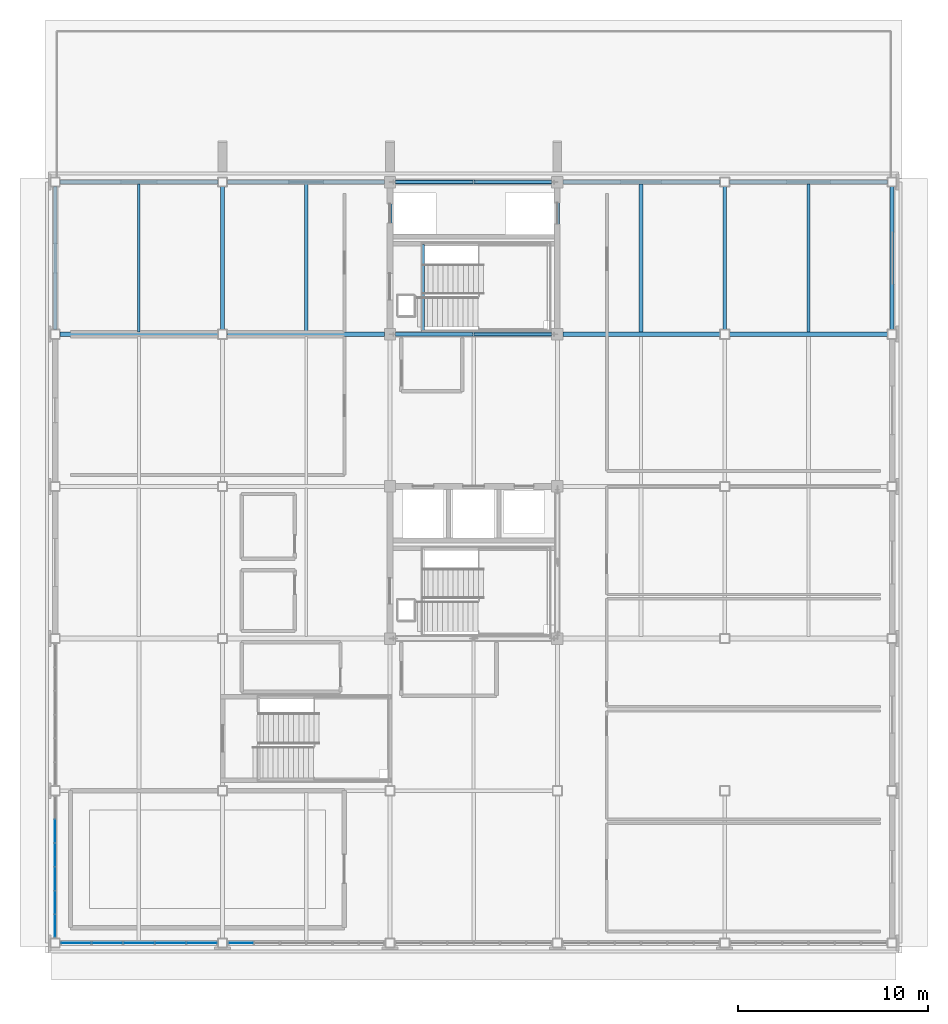
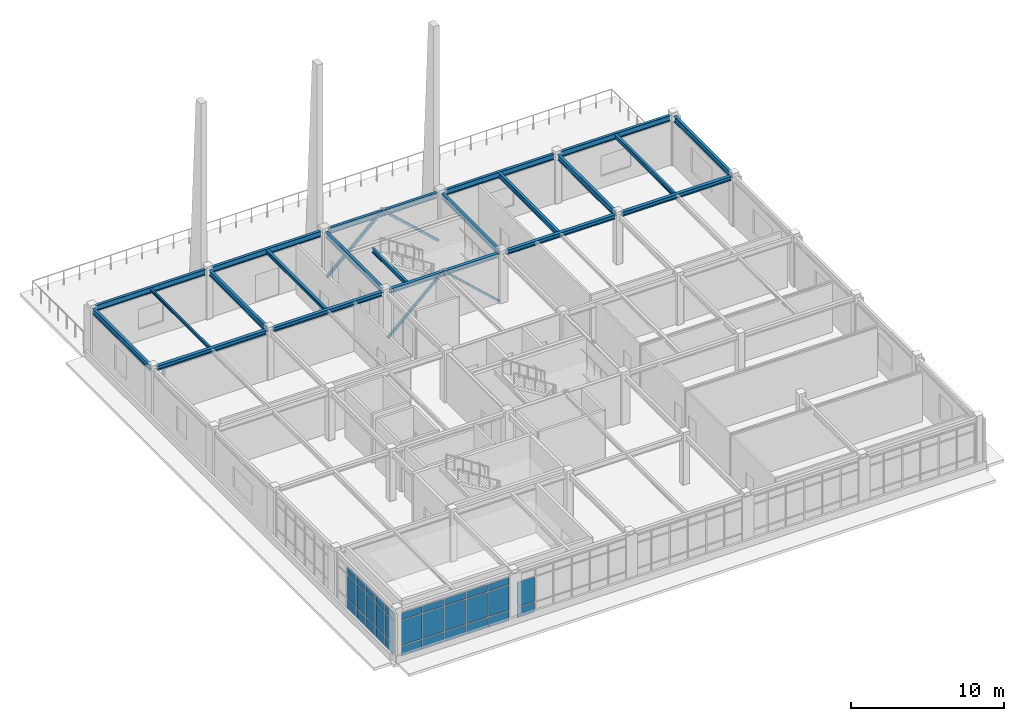
# One storey, part 8 of 22: 32 plates, 21 beams, 4 members, 3 elements without a shape of their own.
"""IFC4 building model written with IfcOpenShell, lengths in metres."""

from ifc_helpers import new_model, si_unit, direction, frame, origin, origin_2d, place, context, subcontext, project, spatial, rectangle, hollow_rectangle, i_section, extrude, material, layer, layer_set, material_profile, profile_set, type_object, element, aggregate, save


model = new_model("IFC4")

# Units and contexts
model_context = context("Model", 3, precision=1e-05, world=origin(), true_north=direction((0.0, 1.0)))
body_context = subcontext(model_context, "Body", "Model", "MODEL_VIEW")
ifc_project = project(units=[si_unit("LENGTHUNIT", "METRE"), si_unit("AREAUNIT", "SQUARE_METRE"), si_unit("VOLUMEUNIT", "CUBIC_METRE"), si_unit("PLANEANGLEUNIT", "RADIAN"), si_unit("MASSUNIT", "GRAM", prefix="KILO")], contexts=[model_context])

# Site, building, storey
site_placement = place(None, origin())
site = spatial("IfcSite", under=ifc_project, at=site_placement, CompositionType="ELEMENT")
building_placement = place(site_placement, origin())
building = spatial("IfcBuilding", under=site, at=building_placement, Name="Zhaolan Boulevard Law Courts", CompositionType="ELEMENT")
storey_placement = place(building_placement, frame((0.0, 0.0, 28.800048828125)))
storey = spatial("IfcBuildingStorey", under=building, at=storey_placement, Name="L06", CompositionType="ELEMENT", Elevation=28.800048828125)

# Members
ifc_material_1 = material(Name="Structural steel Q355B", Category="steel")
ifc_material_profile_1 = material_profile(ifc_material_1, hollow_rectangle(XDim=0.159912109375, YDim=0.159912109375, WallThickness=0.008056640625, InnerFilletRadius=0.008056640625, OuterFilletRadius=0.01611328125, at=origin_2d()), Name="HSS160x160x8")
ifc_profile_set_1 = profile_set([ifc_material_profile_1], Name="Structural steel Q355B")
member_type_1 = type_object("IfcMemberType", Name="BRACE HSS160", PredefinedType="BRACE", material=ifc_profile_set_1)
member_1_placement = place(storey_placement, frame((26.219970703125, 62.0, 0.030029296875), z_axis=(-0.735277847563, 0.0, 0.677765805336), x_axis=(0.0, -1.0, 0.0)))
element("IfcMember", 1, at=member_1_placement, inside=storey, type_object=member_type_1, Name="Core Brace BR-W2-L06-S2", PredefinedType="BRACE", context=body_context, shape_type="SweptSolid", body=[
    extrude(hollow_rectangle(XDim=0.159912109375, YDim=0.159912109375, WallThickness=0.008056640625, InnerFilletRadius=0.008056640625, OuterFilletRadius=0.01611328125, at=origin_2d()), origin(), (0.0, 0.0, 1.0), 5.7392578125),
])
ifc_material_2 = material(Name="Structural steel Q355B", Category="steel")
ifc_material_profile_2 = material_profile(ifc_material_2, hollow_rectangle(XDim=0.179931640625, YDim=0.179931640625, WallThickness=0.008056640625, InnerFilletRadius=0.008056640625, OuterFilletRadius=0.01611328125, at=origin_2d()), Name="HSS180x180x8")
ifc_profile_set_2 = profile_set([ifc_material_profile_2], Name="Structural steel Q355B")
member_type_2 = type_object("IfcMemberType", Name="BRACE HSS180", PredefinedType="BRACE", material=ifc_profile_set_2)
for number, where, z_axis, x_axis, name in (
    (2, (26.219970703125, 70.0, 0.030029296875), (-0.735277847563, 0.0, 0.677765805336), (0.0, -1.0, 0.0), "Core Brace BR-W2-L06-N2"),
    (3, (17.780029296875, 62.0, 0.030029296875), (0.735277847563, 0.0, 0.677765805336), (0.0, 1.0, 0.0), "Core Brace BR-W2-L06-S1"),
):
    element("IfcMember", number, at=place(storey_placement, frame(where, z_axis=z_axis, x_axis=x_axis)), inside=storey, type_object=member_type_2, Name=name, PredefinedType="BRACE", context=body_context, shape_type="SweptSolid", body=[
        extrude(hollow_rectangle(XDim=0.179931640625, YDim=0.179931640625, WallThickness=0.008056640625, InnerFilletRadius=0.008056640625, OuterFilletRadius=0.01611328125, at=origin_2d()), origin(), (0.0, 0.0, 1.0), 5.7392578125),
    ])
ifc_material_3 = material(Name="Structural steel Q355B", Category="steel")
ifc_material_profile_3 = material_profile(ifc_material_3, hollow_rectangle(XDim=0.199951171875, YDim=0.199951171875, WallThickness=0.010009765625, InnerFilletRadius=0.010009765625, OuterFilletRadius=0.02001953125, at=origin_2d()), Name="HSS200x200x10")
ifc_profile_set_3 = profile_set([ifc_material_profile_3], Name="Structural steel Q355B")
member_type_3 = type_object("IfcMemberType", Name="BRACE HSS200", PredefinedType="BRACE", material=ifc_profile_set_3)
member_2_placement = place(storey_placement, frame((17.780029296875, 70.0, 0.030029296875), z_axis=(0.735277847563, 0.0, 0.677765805336), x_axis=(0.0, 1.0, 0.0)))
element("IfcMember", 4, at=member_2_placement, inside=storey, type_object=member_type_3, Name="Core Brace BR-W2-L06-N1", PredefinedType="BRACE", context=body_context, shape_type="SweptSolid", body=[
    extrude(hollow_rectangle(XDim=0.199951171875, YDim=0.199951171875, WallThickness=0.010009765625, InnerFilletRadius=0.010009765625, OuterFilletRadius=0.02001953125, at=origin_2d()), origin(), (0.0, 0.0, 1.0), 5.7392578125),
])

# Beams
ifc_material_4 = material(Name="Structural steel Q355B", Category="steel")
ifc_material_profile_4 = material_profile(ifc_material_4, i_section(OverallWidth=0.199951171875, OverallDepth=0.449951171875, WebThickness=0.009033203125, FlangeThickness=0.013916015625, FilletRadius=0.01611328125, at=origin_2d()), Name="HN450x200")
ifc_profile_set_4 = profile_set([ifc_material_profile_4], Name="Structural steel Q355B")
beam_type_1 = type_object("IfcBeamType", Name="GIRDER HN450", PredefinedType="BEAM", material=ifc_profile_set_4)
beam_1_placement = place(storey_placement, frame((0.24609375, 70.0, 3.722900390625), z_axis=(1.0, 0.0, 0.0), x_axis=(0.0, 1.0, 0.0)))
element("IfcBeam", 5, at=beam_1_placement, inside=storey, type_object=beam_type_1, Name="Beam BX-L07-1-2-K", PredefinedType="BEAM", context=body_context, shape_type="SweptSolid", body=[
    extrude(i_section(OverallWidth=0.199951171875, OverallDepth=0.449951171875, WebThickness=0.009033203125, FlangeThickness=0.013916015625, FilletRadius=0.01611328125, at=origin_2d()), origin(), (0.0, 0.0, 1.0), 8.307861328125),
])
beam_2_placement = place(storey_placement, frame((9.0458984375, 70.0, 3.722900390625), z_axis=(1.0, 0.0, 0.0), x_axis=(0.0, 1.0, 0.0)))
element("IfcBeam", 6, at=beam_2_placement, inside=storey, type_object=beam_type_1, Name="Beam BX-L07-2-3-K", PredefinedType="BEAM", context=body_context, shape_type="SweptSolid", body=[
    extrude(i_section(OverallWidth=0.199951171875, OverallDepth=0.449951171875, WebThickness=0.009033203125, FlangeThickness=0.013916015625, FilletRadius=0.01611328125, at=origin_2d()), origin(), (0.0, 0.0, 1.0), 8.258056640625),
])
beam_3_placement = place(storey_placement, frame((17.89599609375, 70.0, 3.722900390625), z_axis=(1.0, 0.0, 0.0), x_axis=(0.0, 1.0, 0.0)))
element("IfcBeam", 7, at=beam_3_placement, inside=storey, type_object=beam_type_1, Name="Beam BX-L07-3-4-K", PredefinedType="BEAM", context=body_context, shape_type="SweptSolid", body=[
    extrude(i_section(OverallWidth=0.199951171875, OverallDepth=0.449951171875, WebThickness=0.009033203125, FlangeThickness=0.013916015625, FilletRadius=0.01611328125, at=origin_2d()), origin(), (0.0, 0.0, 1.0), 8.2080078125),
])
beam_4_placement = place(storey_placement, frame((26.696044921875, 70.0, 3.722900390625), z_axis=(1.0, 0.0, 0.0), x_axis=(0.0, 1.0, 0.0)))
element("IfcBeam", 8, at=beam_4_placement, inside=storey, type_object=beam_type_1, Name="Beam BX-L07-4-5-K", PredefinedType="BEAM", context=body_context, shape_type="SweptSolid", body=[
    extrude(i_section(OverallWidth=0.199951171875, OverallDepth=0.449951171875, WebThickness=0.009033203125, FlangeThickness=0.013916015625, FilletRadius=0.01611328125, at=origin_2d()), origin(), (0.0, 0.0, 1.0), 8.258056640625),
])
beam_5_placement = place(storey_placement, frame((35.446044921875, 70.0, 3.722900390625), z_axis=(1.0, 0.0, 0.0), x_axis=(0.0, 1.0, 0.0)))
element("IfcBeam", 9, at=beam_5_placement, inside=storey, type_object=beam_type_1, Name="Beam BX-L07-5-6-K", PredefinedType="BEAM", context=body_context, shape_type="SweptSolid", body=[
    extrude(i_section(OverallWidth=0.199951171875, OverallDepth=0.449951171875, WebThickness=0.009033203125, FlangeThickness=0.013916015625, FilletRadius=0.01611328125, at=origin_2d()), origin(), (0.0, 0.0, 1.0), 8.307861328125),
])
for number, where, z_axis, x_axis, name in (
    (10, (0.0, 62.24609375, 3.722900390625), (0.0, 1.0, 0.0), (-1.0, 0.0, 0.0), "Beam BY-L07-1-J-K"),
    (11, (8.800048828125, 62.24609375, 3.722900390625), (0.0, 1.0, 0.0), (-1.0, 0.0, 0.0), "Beam BY-L07-2-J-K"),
):
    element("IfcBeam", number, at=place(storey_placement, frame(where, z_axis=z_axis, x_axis=x_axis)), inside=storey, type_object=beam_type_1, Name=name, PredefinedType="BEAM", context=body_context, shape_type="SweptSolid", body=[
        extrude(i_section(OverallWidth=0.199951171875, OverallDepth=0.449951171875, WebThickness=0.009033203125, FlangeThickness=0.013916015625, FilletRadius=0.01611328125, at=origin_2d()), origin(), (0.0, 0.0, 1.0), 7.5078125),
    ])
for number, where, z_axis, x_axis, name in (
    (12, (17.60009765625, 62.2958984375, 3.722900390625), (0.0, 1.0, 0.0), (-1.0, 0.0, 0.0), "Beam BY-L07-3-J-K"),
    (13, (26.39990234375, 62.2958984375, 3.722900390625), (0.0, 1.0, 0.0), (-1.0, 0.0, 0.0), "Beam BY-L07-4-J-K"),
):
    element("IfcBeam", number, at=place(storey_placement, frame(where, z_axis=z_axis, x_axis=x_axis)), inside=storey, type_object=beam_type_1, Name=name, PredefinedType="BEAM", context=body_context, shape_type="SweptSolid", body=[
        extrude(i_section(OverallWidth=0.199951171875, OverallDepth=0.449951171875, WebThickness=0.009033203125, FlangeThickness=0.013916015625, FilletRadius=0.01611328125, at=origin_2d()), origin(), (0.0, 0.0, 1.0), 7.408203125),
    ])
for number, where, z_axis, x_axis, name in (
    (14, (35.199951171875, 62.24609375, 3.722900390625), (0.0, 1.0, 0.0), (-1.0, 0.0, 0.0), "Beam BY-L07-5-J-K"),
    (15, (44.0, 62.24609375, 3.722900390625), (0.0, 1.0, 0.0), (-1.0, 0.0, 0.0), "Beam BY-L07-6-J-K"),
):
    element("IfcBeam", number, at=place(storey_placement, frame(where, z_axis=z_axis, x_axis=x_axis)), inside=storey, type_object=beam_type_1, Name=name, PredefinedType="BEAM", context=body_context, shape_type="SweptSolid", body=[
        extrude(i_section(OverallWidth=0.199951171875, OverallDepth=0.449951171875, WebThickness=0.009033203125, FlangeThickness=0.013916015625, FilletRadius=0.01611328125, at=origin_2d()), origin(), (0.0, 0.0, 1.0), 7.5078125),
    ])
ifc_material_5 = material(Name="Structural steel Q355B", Category="steel")
ifc_material_profile_5 = material_profile(ifc_material_5, i_section(OverallWidth=0.199951171875, OverallDepth=0.2939453125, WebThickness=0.008056640625, FlangeThickness=0.011962890625, FilletRadius=0.01611328125, at=origin_2d()), Name="HM294x200")
ifc_profile_set_5 = profile_set([ifc_material_profile_5], Name="Structural steel Q355B")
beam_type_2 = type_object("IfcBeamType", Name="JOIST HM294", PredefinedType="JOIST", material=ifc_profile_set_5)
beam_6_placement = place(storey_placement, frame((13.199951171875, 62.12109375, 3.801025390625), z_axis=(0.0, 1.0, 0.0), x_axis=(-1.0, 0.0, 0.0)))
element("IfcBeam", 16, at=beam_6_placement, inside=storey, type_object=beam_type_2, Name="Composite Joist J-L07-2J", PredefinedType="JOIST", context=body_context, shape_type="SweptSolid", body=[
    extrude(i_section(OverallWidth=0.199951171875, OverallDepth=0.2939453125, WebThickness=0.008056640625, FlangeThickness=0.011962890625, FilletRadius=0.01611328125, at=origin_2d()), origin(), (0.0, 0.0, 1.0), 7.782958984375),
])
ifc_material_6 = material(Name="Structural steel Q355B", Category="steel")
ifc_material_profile_6 = material_profile(ifc_material_6, i_section(OverallWidth=0.125, OverallDepth=0.25, WebThickness=0.006103515625, FlangeThickness=0.009033203125, FilletRadius=0.010009765625, at=origin_2d()), Name="HN250x125")
ifc_profile_set_6 = profile_set([ifc_material_profile_6], Name="Structural steel Q355B")
beam_type_3 = type_object("IfcBeamType", Name="JOIST HN250", PredefinedType="JOIST", material=ifc_profile_set_6)
beam_7_placement = place(storey_placement, frame((4.39990234375, 62.12109375, 3.822998046875), z_axis=(0.0, 1.0, 0.0), x_axis=(-1.0, 0.0, 0.0)))
element("IfcBeam", 17, at=beam_7_placement, inside=storey, type_object=beam_type_3, Name="Composite Joist J-L07-1J", PredefinedType="JOIST", context=body_context, shape_type="SweptSolid", body=[
    extrude(i_section(OverallWidth=0.125, OverallDepth=0.25, WebThickness=0.006103515625, FlangeThickness=0.009033203125, FilletRadius=0.010009765625, at=origin_2d()), origin(), (0.0, 0.0, 1.0), 7.782958984375),
])
ifc_material_7 = material(Name="Structural steel Q355B", Category="steel")
ifc_material_profile_7 = material_profile(ifc_material_7, i_section(OverallWidth=0.175048828125, OverallDepth=0.35009765625, WebThickness=0.007080078125, FlangeThickness=0.010986328125, FilletRadius=0.012939453125, at=origin_2d()), Name="HN350x175")
ifc_profile_set_7 = profile_set([ifc_material_profile_7], Name="Structural steel Q355B")
beam_type_4 = type_object("IfcBeamType", Name="JOIST HN350", PredefinedType="JOIST", material=ifc_profile_set_7)
beam_8_placement = place(storey_placement, frame((39.60009765625, 62.12109375, 3.77294921875), z_axis=(0.0, 1.0, 0.0), x_axis=(-1.0, 0.0, 0.0)))
element("IfcBeam", 18, at=beam_8_placement, inside=storey, type_object=beam_type_4, Name="Composite Joist J-L07-5J", PredefinedType="JOIST", context=body_context, shape_type="SweptSolid", body=[
    extrude(i_section(OverallWidth=0.175048828125, OverallDepth=0.35009765625, WebThickness=0.007080078125, FlangeThickness=0.010986328125, FilletRadius=0.012939453125, at=origin_2d()), origin(), (0.0, 0.0, 1.0), 7.782958984375),
])
ifc_material_8 = material(Name="Structural steel Q355B", Category="steel")
ifc_material_profile_8 = material_profile(ifc_material_8, i_section(OverallWidth=0.199951171875, OverallDepth=0.39990234375, WebThickness=0.008056640625, FlangeThickness=0.012939453125, FilletRadius=0.013916015625, at=origin_2d()), Name="HN400x200")
ifc_profile_set_8 = profile_set([ifc_material_profile_8], Name="Structural steel Q355B")
beam_type_5 = type_object("IfcBeamType", Name="JOIST HN400", PredefinedType="JOIST", material=ifc_profile_set_8)
beam_9_placement = place(storey_placement, frame((30.800048828125, 62.12109375, 3.748046875), z_axis=(0.0, 1.0, 0.0), x_axis=(-1.0, 0.0, 0.0)))
element("IfcBeam", 19, at=beam_9_placement, inside=storey, type_object=beam_type_5, Name="Composite Joist J-L07-4J", PredefinedType="JOIST", context=body_context, shape_type="SweptSolid", body=[
    extrude(i_section(OverallWidth=0.199951171875, OverallDepth=0.39990234375, WebThickness=0.008056640625, FlangeThickness=0.012939453125, FilletRadius=0.013916015625, at=origin_2d()), origin(), (0.0, 0.0, 1.0), 7.782958984375),
])
ifc_material_9 = material(Name="Structural steel Q355B", Category="steel")
ifc_material_profile_9 = material_profile(ifc_material_9, i_section(OverallWidth=0.25, OverallDepth=0.340087890625, WebThickness=0.009033203125, FlangeThickness=0.013916015625, FilletRadius=0.01611328125, at=origin_2d()), Name="HM340x250")
ifc_profile_set_9 = profile_set([ifc_material_profile_9], Name="Structural steel Q355B")
beam_type_6 = type_object("IfcBeamType", Name="SPANDREL HM340", PredefinedType="SPANDREL", material=ifc_profile_set_9)
beam_10_placement = place(storey_placement, frame((0.24609375, 62.0, 3.77783203125), z_axis=(1.0, 0.0, 0.0), x_axis=(0.0, 1.0, 0.0)))
element("IfcBeam", 20, at=beam_10_placement, inside=storey, type_object=beam_type_6, Name="Beam BX-L07-1-2-J", PredefinedType="SPANDREL", context=body_context, shape_type="SweptSolid", body=[
    extrude(i_section(OverallWidth=0.25, OverallDepth=0.340087890625, WebThickness=0.009033203125, FlangeThickness=0.013916015625, FilletRadius=0.01611328125, at=origin_2d()), origin(), (0.0, 0.0, 1.0), 8.307861328125),
])
beam_11_placement = place(storey_placement, frame((9.0458984375, 62.0, 3.77783203125), z_axis=(1.0, 0.0, 0.0), x_axis=(0.0, 1.0, 0.0)))
element("IfcBeam", 21, at=beam_11_placement, inside=storey, type_object=beam_type_6, Name="Beam BX-L07-2-3-J", PredefinedType="SPANDREL", context=body_context, shape_type="SweptSolid", body=[
    extrude(i_section(OverallWidth=0.25, OverallDepth=0.340087890625, WebThickness=0.009033203125, FlangeThickness=0.013916015625, FilletRadius=0.01611328125, at=origin_2d()), origin(), (0.0, 0.0, 1.0), 8.258056640625),
])
beam_12_placement = place(storey_placement, frame((17.89599609375, 62.0, 3.77783203125), z_axis=(1.0, 0.0, 0.0), x_axis=(0.0, 1.0, 0.0)))
element("IfcBeam", 22, at=beam_12_placement, inside=storey, type_object=beam_type_6, Name="Beam BX-L07-3-4-J", PredefinedType="SPANDREL", context=body_context, shape_type="SweptSolid", body=[
    extrude(i_section(OverallWidth=0.25, OverallDepth=0.340087890625, WebThickness=0.009033203125, FlangeThickness=0.013916015625, FilletRadius=0.01611328125, at=origin_2d()), origin(), (0.0, 0.0, 1.0), 8.2080078125),
])
beam_13_placement = place(storey_placement, frame((26.696044921875, 62.0, 3.77783203125), z_axis=(1.0, 0.0, 0.0), x_axis=(0.0, 1.0, 0.0)))
element("IfcBeam", 23, at=beam_13_placement, inside=storey, type_object=beam_type_6, Name="Beam BX-L07-4-5-J", PredefinedType="SPANDREL", context=body_context, shape_type="SweptSolid", body=[
    extrude(i_section(OverallWidth=0.25, OverallDepth=0.340087890625, WebThickness=0.009033203125, FlangeThickness=0.013916015625, FilletRadius=0.01611328125, at=origin_2d()), origin(), (0.0, 0.0, 1.0), 8.258056640625),
])
beam_14_placement = place(storey_placement, frame((35.446044921875, 62.0, 3.77783203125), z_axis=(1.0, 0.0, 0.0), x_axis=(0.0, 1.0, 0.0)))
element("IfcBeam", 24, at=beam_14_placement, inside=storey, type_object=beam_type_6, Name="Beam BX-L07-5-6-J", PredefinedType="SPANDREL", context=body_context, shape_type="SweptSolid", body=[
    extrude(i_section(OverallWidth=0.25, OverallDepth=0.340087890625, WebThickness=0.009033203125, FlangeThickness=0.013916015625, FilletRadius=0.01611328125, at=origin_2d()), origin(), (0.0, 0.0, 1.0), 8.307861328125),
])
ifc_material_10 = material(Name="Structural steel Q355B", Category="steel")
ifc_material_profile_10 = material_profile(ifc_material_10, i_section(OverallWidth=0.175048828125, OverallDepth=0.35009765625, WebThickness=0.007080078125, FlangeThickness=0.010986328125, FilletRadius=0.012939453125, at=origin_2d()), Name="HN350x175")
ifc_profile_set_10 = profile_set([ifc_material_profile_10], Name="Structural steel Q355B")
beam_type_7 = type_object("IfcBeamType", Name="STAIR TRIMMER HN350", PredefinedType="BEAM", material=ifc_profile_set_10)
beam_15_placement = place(storey_placement, frame((19.3349609375, 62.139892578125, 3.73486328125), z_axis=(0.0, 1.0, 0.0), x_axis=(-1.0, 0.0, 0.0)))
element("IfcBeam", 25, at=beam_15_placement, inside=storey, type_object=beam_type_7, Name="Stair Landing Trimmer Beam STB-ST02-L07", PredefinedType="BEAM", context=body_context, shape_type="SweptSolid", body=[
    extrude(i_section(OverallWidth=0.175048828125, OverallDepth=0.35009765625, WebThickness=0.007080078125, FlangeThickness=0.010986328125, FilletRadius=0.012939453125, at=origin_2d()), origin(), (0.0, 0.0, 1.0), 4.570068359375),
])

# Curtain wall, plates
ifc_material_11 = material(Name="Thermally broken aluminium and low-E glazing", Category="aluminium")
curtain_wall_type_1 = type_object("IfcCurtainWallType", Name="CURTAIN WALL M8", PredefinedType="USERDEFINED", material=ifc_material_11)
curtain_wall_1_placement = place(storey_placement, origin())
curtain_wall_1 = element("IfcCurtainWall", 26, at=curtain_wall_1_placement, inside=storey, type_object=curtain_wall_type_1, Name="Curtain Wall CW-L06-224", ObjectType="CURTAIN WALL", PredefinedType="USERDEFINED")
ifc_material_12 = material(Name="Triple-silver low-E insulated glazing", Category="glass")
ifc_layer = layer(ifc_material_12, 0.028076171875)
ifc_layer_set = layer_set([ifc_layer])
plate_type = type_object("IfcPlateType", Name="CWPANEL LOW E28", PredefinedType="CURTAIN_PANEL", material=ifc_layer_set)
plate_1_placement = place(storey_placement, frame((1.097900390625, 30.0, 0.06494140625), z_axis=(0.0, 0.0, 1.0), x_axis=(1.0, 0.0, 0.0)))
plate_1 = element("IfcPlate", 27, at=plate_1_placement, type_object=plate_type, Name="CW-L06-224 panel 1.1", PredefinedType="CURTAIN_PANEL", context=body_context, shape_type="SweptSolid", body=[
    extrude(rectangle(XDim=1.561767578125, YDim=0.028076171875, at=origin_2d()), origin(), (0.0, 0.0, 1.0), 0.802490234375),
])
plate_2_placement = place(storey_placement, frame((1.097900390625, 30.0, 0.932373046875), z_axis=(0.0, 0.0, 1.0), x_axis=(1.0, 0.0, 0.0)))
plate_2 = element("IfcPlate", 28, at=plate_2_placement, type_object=plate_type, Name="CW-L06-224 panel 1.2", PredefinedType="CURTAIN_PANEL", context=body_context, shape_type="SweptSolid", body=[
    extrude(rectangle(XDim=1.561767578125, YDim=0.028076171875, at=origin_2d()), origin(), (0.0, 0.0, 1.0), 1.97802734375),
])
plate_3_placement = place(storey_placement, frame((1.097900390625, 30.0, 2.9755859375), z_axis=(0.0, 0.0, 1.0), x_axis=(1.0, 0.0, 0.0)))
plate_3 = element("IfcPlate", 29, at=plate_3_placement, type_object=plate_type, Name="CW-L06-224 panel 1.3", PredefinedType="CURTAIN_PANEL", context=body_context, shape_type="SweptSolid", body=[
    extrude(rectangle(XDim=1.561767578125, YDim=0.028076171875, at=origin_2d()), origin(), (0.0, 0.0, 1.0), 0.552490234375),
])
plate_4_placement = place(storey_placement, frame((2.74072265625, 30.0, 0.06494140625), z_axis=(0.0, 0.0, 1.0), x_axis=(1.0, 0.0, 0.0)))
plate_4 = element("IfcPlate", 30, at=plate_4_placement, type_object=plate_type, Name="CW-L06-224 panel 2.1", PredefinedType="CURTAIN_PANEL", context=body_context, shape_type="SweptSolid", body=[
    extrude(rectangle(XDim=1.59423828125, YDim=0.028076171875, at=origin_2d()), origin(), (0.0, 0.0, 1.0), 0.802490234375),
])
plate_5_placement = place(storey_placement, frame((2.74072265625, 30.0, 0.932373046875), z_axis=(0.0, 0.0, 1.0), x_axis=(1.0, 0.0, 0.0)))
plate_5 = element("IfcPlate", 31, at=plate_5_placement, type_object=plate_type, Name="CW-L06-224 panel 2.2", PredefinedType="CURTAIN_PANEL", context=body_context, shape_type="SweptSolid", body=[
    extrude(rectangle(XDim=1.59423828125, YDim=0.028076171875, at=origin_2d()), origin(), (0.0, 0.0, 1.0), 1.97802734375),
])
plate_6_placement = place(storey_placement, frame((2.74072265625, 30.0, 2.9755859375), z_axis=(0.0, 0.0, 1.0), x_axis=(1.0, 0.0, 0.0)))
plate_6 = element("IfcPlate", 32, at=plate_6_placement, type_object=plate_type, Name="CW-L06-224 panel 2.3", PredefinedType="CURTAIN_PANEL", context=body_context, shape_type="SweptSolid", body=[
    extrude(rectangle(XDim=1.59423828125, YDim=0.028076171875, at=origin_2d()), origin(), (0.0, 0.0, 1.0), 0.552490234375),
])
plate_7_placement = place(storey_placement, frame((4.39990234375, 30.0, 0.06494140625), z_axis=(0.0, 0.0, 1.0), x_axis=(1.0, 0.0, 0.0)))
plate_7 = element("IfcPlate", 33, at=plate_7_placement, type_object=plate_type, Name="CW-L06-224 panel 3.1", PredefinedType="CURTAIN_PANEL", context=body_context, shape_type="SweptSolid", body=[
    extrude(rectangle(XDim=1.59423828125, YDim=0.028076171875, at=origin_2d()), origin(), (0.0, 0.0, 1.0), 0.802490234375),
])
plate_8_placement = place(storey_placement, frame((4.39990234375, 30.0, 0.932373046875), z_axis=(0.0, 0.0, 1.0), x_axis=(1.0, 0.0, 0.0)))
plate_8 = element("IfcPlate", 34, at=plate_8_placement, type_object=plate_type, Name="CW-L06-224 panel 3.2", PredefinedType="CURTAIN_PANEL", context=body_context, shape_type="SweptSolid", body=[
    extrude(rectangle(XDim=1.59423828125, YDim=0.028076171875, at=origin_2d()), origin(), (0.0, 0.0, 1.0), 1.97802734375),
])
plate_9_placement = place(storey_placement, frame((4.39990234375, 30.0, 2.9755859375), z_axis=(0.0, 0.0, 1.0), x_axis=(1.0, 0.0, 0.0)))
plate_9 = element("IfcPlate", 35, at=plate_9_placement, type_object=plate_type, Name="CW-L06-224 panel 3.3", PredefinedType="CURTAIN_PANEL", context=body_context, shape_type="SweptSolid", body=[
    extrude(rectangle(XDim=1.59423828125, YDim=0.028076171875, at=origin_2d()), origin(), (0.0, 0.0, 1.0), 0.552490234375),
])
plate_10_placement = place(storey_placement, frame((6.05908203125, 30.0, 0.06494140625), z_axis=(0.0, 0.0, 1.0), x_axis=(1.0, 0.0, 0.0)))
plate_10 = element("IfcPlate", 36, at=plate_10_placement, type_object=plate_type, Name="CW-L06-224 panel 4.1", PredefinedType="CURTAIN_PANEL", context=body_context, shape_type="SweptSolid", body=[
    extrude(rectangle(XDim=1.59423828125, YDim=0.028076171875, at=origin_2d()), origin(), (0.0, 0.0, 1.0), 0.802490234375),
])
plate_11_placement = place(storey_placement, frame((6.05908203125, 30.0, 0.932373046875), z_axis=(0.0, 0.0, 1.0), x_axis=(1.0, 0.0, 0.0)))
plate_11 = element("IfcPlate", 37, at=plate_11_placement, type_object=plate_type, Name="CW-L06-224 panel 4.2", PredefinedType="CURTAIN_PANEL", context=body_context, shape_type="SweptSolid", body=[
    extrude(rectangle(XDim=1.59423828125, YDim=0.028076171875, at=origin_2d()), origin(), (0.0, 0.0, 1.0), 1.97802734375),
])
plate_12_placement = place(storey_placement, frame((6.05908203125, 30.0, 2.9755859375), z_axis=(0.0, 0.0, 1.0), x_axis=(1.0, 0.0, 0.0)))
plate_12 = element("IfcPlate", 38, at=plate_12_placement, type_object=plate_type, Name="CW-L06-224 panel 4.3", PredefinedType="CURTAIN_PANEL", context=body_context, shape_type="SweptSolid", body=[
    extrude(rectangle(XDim=1.59423828125, YDim=0.028076171875, at=origin_2d()), origin(), (0.0, 0.0, 1.0), 0.552490234375),
])
plate_13_placement = place(storey_placement, frame((7.7021484375, 30.0, 0.06494140625), z_axis=(0.0, 0.0, 1.0), x_axis=(1.0, 0.0, 0.0)))
plate_13 = element("IfcPlate", 39, at=plate_13_placement, type_object=plate_type, Name="CW-L06-224 panel 5.1", PredefinedType="CURTAIN_PANEL", context=body_context, shape_type="SweptSolid", body=[
    extrude(rectangle(XDim=1.561767578125, YDim=0.028076171875, at=origin_2d()), origin(), (0.0, 0.0, 1.0), 0.802490234375),
])
plate_14_placement = place(storey_placement, frame((7.7021484375, 30.0, 0.932373046875), z_axis=(0.0, 0.0, 1.0), x_axis=(1.0, 0.0, 0.0)))
plate_14 = element("IfcPlate", 40, at=plate_14_placement, type_object=plate_type, Name="CW-L06-224 panel 5.2", PredefinedType="CURTAIN_PANEL", context=body_context, shape_type="SweptSolid", body=[
    extrude(rectangle(XDim=1.561767578125, YDim=0.028076171875, at=origin_2d()), origin(), (0.0, 0.0, 1.0), 1.97802734375),
])
plate_15_placement = place(storey_placement, frame((7.7021484375, 30.0, 2.9755859375), z_axis=(0.0, 0.0, 1.0), x_axis=(1.0, 0.0, 0.0)))
plate_15 = element("IfcPlate", 41, at=plate_15_placement, type_object=plate_type, Name="CW-L06-224 panel 5.3", PredefinedType="CURTAIN_PANEL", context=body_context, shape_type="SweptSolid", body=[
    extrude(rectangle(XDim=1.561767578125, YDim=0.028076171875, at=origin_2d()), origin(), (0.0, 0.0, 1.0), 0.552490234375),
])
aggregate(curtain_wall_1, [plate_1, plate_2, plate_3, plate_4, plate_5, plate_6, plate_7, plate_8, plate_9, plate_10, plate_11, plate_12, plate_13, plate_14, plate_15])

ifc_material_13 = material(Name="Thermally broken aluminium and low-E glazing", Category="aluminium")
curtain_wall_type_2 = type_object("IfcCurtainWallType", Name="CURTAIN WALL M9", PredefinedType="USERDEFINED", material=ifc_material_13)
curtain_wall_2_placement = place(storey_placement, origin())
curtain_wall_2 = element("IfcCurtainWall", 42, at=curtain_wall_2_placement, inside=storey, type_object=curtain_wall_type_2, Name="Curtain Wall CW-L06-225", ObjectType="CURTAIN WALL", PredefinedType="USERDEFINED")
plate_16_placement = place(storey_placement, frame((9.759521484375, 30.0, 0.06494140625), z_axis=(0.0, 0.0, 1.0), x_axis=(1.0, 0.0, 0.0)))
plate_16 = element("IfcPlate", 43, at=plate_16_placement, type_object=plate_type, Name="CW-L06-225 panel 1.1", PredefinedType="CURTAIN_PANEL", context=body_context, shape_type="SweptSolid", body=[
    extrude(rectangle(XDim=1.28515625, YDim=0.028076171875, at=origin_2d()), origin(), (0.0, 0.0, 1.0), 0.802490234375),
])
plate_17_placement = place(storey_placement, frame((9.759521484375, 30.0, 0.932373046875), z_axis=(0.0, 0.0, 1.0), x_axis=(1.0, 0.0, 0.0)))
plate_17 = element("IfcPlate", 44, at=plate_17_placement, type_object=plate_type, Name="CW-L06-225 panel 1.2", PredefinedType="CURTAIN_PANEL", context=body_context, shape_type="SweptSolid", body=[
    extrude(rectangle(XDim=1.28515625, YDim=0.028076171875, at=origin_2d()), origin(), (0.0, 0.0, 1.0), 1.97802734375),
])
aggregate(curtain_wall_2, [plate_16, plate_17])

ifc_material_14 = material(Name="Thermally broken aluminium and low-E glazing", Category="aluminium")
curtain_wall_type_3 = type_object("IfcCurtainWallType", Name="CURTAIN WALL M13", PredefinedType="USERDEFINED", material=ifc_material_14)
curtain_wall_3_placement = place(storey_placement, origin())
curtain_wall_3 = element("IfcCurtainWall", 45, at=curtain_wall_3_placement, inside=storey, type_object=curtain_wall_type_3, Name="Curtain Wall CW-L06-229", ObjectType="CURTAIN WALL", PredefinedType="USERDEFINED")
plate_18_placement = place(storey_placement, frame((0.0, 35.8740234375, 0.059814453125), z_axis=(0.0, 0.0, 1.0), x_axis=(0.0, -1.0, 0.0)))
plate_18 = element("IfcPlate", 46, at=plate_18_placement, type_object=plate_type, Name="CW-L06-229 panel 2.1", PredefinedType="CURTAIN_PANEL", context=body_context, shape_type="SweptSolid", body=[
    extrude(rectangle(XDim=1.189453125, YDim=0.028076171875, at=origin_2d()), origin(), (0.0, 0.0, 1.0), 0.81005859375),
])
plate_19_placement = place(storey_placement, frame((0.0, 35.8740234375, 0.929931640625), z_axis=(0.0, 0.0, 1.0), x_axis=(0.0, -1.0, 0.0)))
plate_19 = element("IfcPlate", 47, at=plate_19_placement, type_object=plate_type, Name="CW-L06-229 panel 2.2", PredefinedType="CURTAIN_PANEL", context=body_context, shape_type="SweptSolid", body=[
    extrude(rectangle(XDim=1.189453125, YDim=0.028076171875, at=origin_2d()), origin(), (0.0, 0.0, 1.0), 1.873046875),
])
plate_20_placement = place(storey_placement, frame((0.0, 35.8740234375, 2.863037109375), z_axis=(0.0, 0.0, 1.0), x_axis=(0.0, -1.0, 0.0)))
plate_20 = element("IfcPlate", 48, at=plate_20_placement, type_object=plate_type, Name="CW-L06-229 panel 2.3", PredefinedType="CURTAIN_PANEL", context=body_context, shape_type="SweptSolid", body=[
    extrude(rectangle(XDim=1.189453125, YDim=0.028076171875, at=origin_2d()), origin(), (0.0, 0.0, 1.0), 0.56005859375),
])
plate_21_placement = place(storey_placement, frame((0.0, 34.624755859375, 0.059814453125), z_axis=(0.0, 0.0, 1.0), x_axis=(0.0, -1.0, 0.0)))
plate_21 = element("IfcPlate", 49, at=plate_21_placement, type_object=plate_type, Name="CW-L06-229 panel 3.1", PredefinedType="CURTAIN_PANEL", context=body_context, shape_type="SweptSolid", body=[
    extrude(rectangle(XDim=1.189453125, YDim=0.028076171875, at=origin_2d()), origin(), (0.0, 0.0, 1.0), 0.81005859375),
])
plate_22_placement = place(storey_placement, frame((0.0, 34.624755859375, 0.929931640625), z_axis=(0.0, 0.0, 1.0), x_axis=(0.0, -1.0, 0.0)))
plate_22 = element("IfcPlate", 50, at=plate_22_placement, type_object=plate_type, Name="CW-L06-229 panel 3.2", PredefinedType="CURTAIN_PANEL", context=body_context, shape_type="SweptSolid", body=[
    extrude(rectangle(XDim=1.189453125, YDim=0.028076171875, at=origin_2d()), origin(), (0.0, 0.0, 1.0), 1.873046875),
])
plate_23_placement = place(storey_placement, frame((0.0, 34.624755859375, 2.863037109375), z_axis=(0.0, 0.0, 1.0), x_axis=(0.0, -1.0, 0.0)))
plate_23 = element("IfcPlate", 51, at=plate_23_placement, type_object=plate_type, Name="CW-L06-229 panel 3.3", PredefinedType="CURTAIN_PANEL", context=body_context, shape_type="SweptSolid", body=[
    extrude(rectangle(XDim=1.189453125, YDim=0.028076171875, at=origin_2d()), origin(), (0.0, 0.0, 1.0), 0.56005859375),
])
plate_24_placement = place(storey_placement, frame((0.0, 33.375244140625, 0.059814453125), z_axis=(0.0, 0.0, 1.0), x_axis=(0.0, -1.0, 0.0)))
plate_24 = element("IfcPlate", 52, at=plate_24_placement, type_object=plate_type, Name="CW-L06-229 panel 4.1", PredefinedType="CURTAIN_PANEL", context=body_context, shape_type="SweptSolid", body=[
    extrude(rectangle(XDim=1.189453125, YDim=0.028076171875, at=origin_2d()), origin(), (0.0, 0.0, 1.0), 0.81005859375),
])
plate_25_placement = place(storey_placement, frame((0.0, 33.375244140625, 0.929931640625), z_axis=(0.0, 0.0, 1.0), x_axis=(0.0, -1.0, 0.0)))
plate_25 = element("IfcPlate", 53, at=plate_25_placement, type_object=plate_type, Name="CW-L06-229 panel 4.2", PredefinedType="CURTAIN_PANEL", context=body_context, shape_type="SweptSolid", body=[
    extrude(rectangle(XDim=1.189453125, YDim=0.028076171875, at=origin_2d()), origin(), (0.0, 0.0, 1.0), 1.873046875),
])
plate_26_placement = place(storey_placement, frame((0.0, 33.375244140625, 2.863037109375), z_axis=(0.0, 0.0, 1.0), x_axis=(0.0, -1.0, 0.0)))
plate_26 = element("IfcPlate", 54, at=plate_26_placement, type_object=plate_type, Name="CW-L06-229 panel 4.3", PredefinedType="CURTAIN_PANEL", context=body_context, shape_type="SweptSolid", body=[
    extrude(rectangle(XDim=1.189453125, YDim=0.028076171875, at=origin_2d()), origin(), (0.0, 0.0, 1.0), 0.56005859375),
])
plate_27_placement = place(storey_placement, frame((0.0, 32.1259765625, 0.059814453125), z_axis=(0.0, 0.0, 1.0), x_axis=(0.0, -1.0, 0.0)))
plate_27 = element("IfcPlate", 55, at=plate_27_placement, type_object=plate_type, Name="CW-L06-229 panel 5.1", PredefinedType="CURTAIN_PANEL", context=body_context, shape_type="SweptSolid", body=[
    extrude(rectangle(XDim=1.189453125, YDim=0.028076171875, at=origin_2d()), origin(), (0.0, 0.0, 1.0), 0.81005859375),
])
plate_28_placement = place(storey_placement, frame((0.0, 32.1259765625, 0.929931640625), z_axis=(0.0, 0.0, 1.0), x_axis=(0.0, -1.0, 0.0)))
plate_28 = element("IfcPlate", 56, at=plate_28_placement, type_object=plate_type, Name="CW-L06-229 panel 5.2", PredefinedType="CURTAIN_PANEL", context=body_context, shape_type="SweptSolid", body=[
    extrude(rectangle(XDim=1.189453125, YDim=0.028076171875, at=origin_2d()), origin(), (0.0, 0.0, 1.0), 1.873046875),
])
plate_29_placement = place(storey_placement, frame((0.0, 32.1259765625, 2.863037109375), z_axis=(0.0, 0.0, 1.0), x_axis=(0.0, -1.0, 0.0)))
plate_29 = element("IfcPlate", 57, at=plate_29_placement, type_object=plate_type, Name="CW-L06-229 panel 5.3", PredefinedType="CURTAIN_PANEL", context=body_context, shape_type="SweptSolid", body=[
    extrude(rectangle(XDim=1.189453125, YDim=0.028076171875, at=origin_2d()), origin(), (0.0, 0.0, 1.0), 0.56005859375),
])
plate_30_placement = place(storey_placement, frame((0.0, 30.8916015625, 0.059814453125), z_axis=(0.0, 0.0, 1.0), x_axis=(0.0, -1.0, 0.0)))
plate_30 = element("IfcPlate", 58, at=plate_30_placement, type_object=plate_type, Name="CW-L06-229 panel 6.1", PredefinedType="CURTAIN_PANEL", context=body_context, shape_type="SweptSolid", body=[
    extrude(rectangle(XDim=1.159423828125, YDim=0.028076171875, at=origin_2d()), origin(), (0.0, 0.0, 1.0), 0.81005859375),
])
plate_31_placement = place(storey_placement, frame((0.0, 30.8916015625, 0.929931640625), z_axis=(0.0, 0.0, 1.0), x_axis=(0.0, -1.0, 0.0)))
plate_31 = element("IfcPlate", 59, at=plate_31_placement, type_object=plate_type, Name="CW-L06-229 panel 6.2", PredefinedType="CURTAIN_PANEL", context=body_context, shape_type="SweptSolid", body=[
    extrude(rectangle(XDim=1.159423828125, YDim=0.028076171875, at=origin_2d()), origin(), (0.0, 0.0, 1.0), 1.873046875),
])
plate_32_placement = place(storey_placement, frame((0.0, 30.8916015625, 2.863037109375), z_axis=(0.0, 0.0, 1.0), x_axis=(0.0, -1.0, 0.0)))
plate_32 = element("IfcPlate", 60, at=plate_32_placement, type_object=plate_type, Name="CW-L06-229 panel 6.3", PredefinedType="CURTAIN_PANEL", context=body_context, shape_type="SweptSolid", body=[
    extrude(rectangle(XDim=1.159423828125, YDim=0.028076171875, at=origin_2d()), origin(), (0.0, 0.0, 1.0), 0.56005859375),
])
aggregate(curtain_wall_3, [plate_18, plate_19, plate_20, plate_21, plate_22, plate_23, plate_24, plate_25, plate_26, plate_27, plate_28, plate_29, plate_30, plate_31, plate_32])

save(model, "model.ifc")
